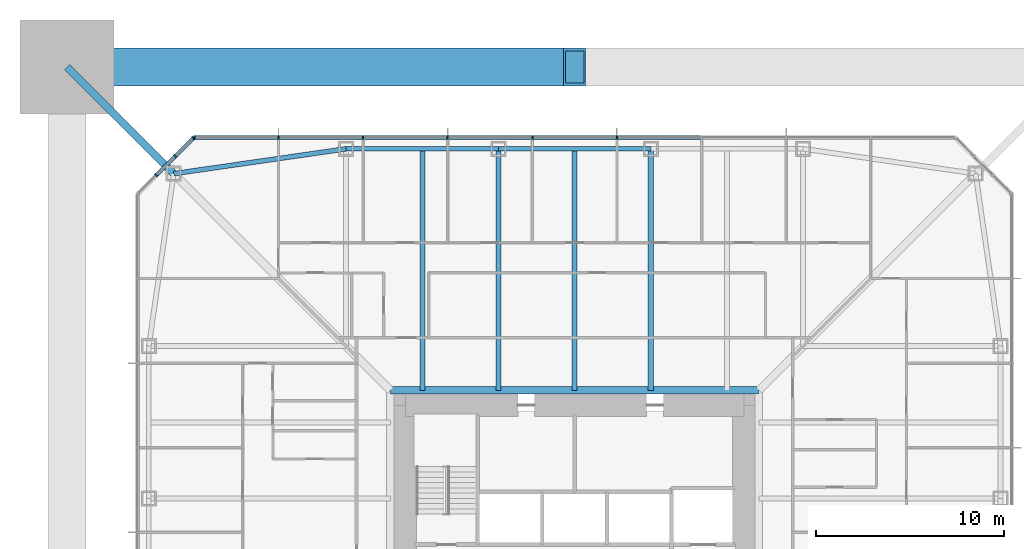
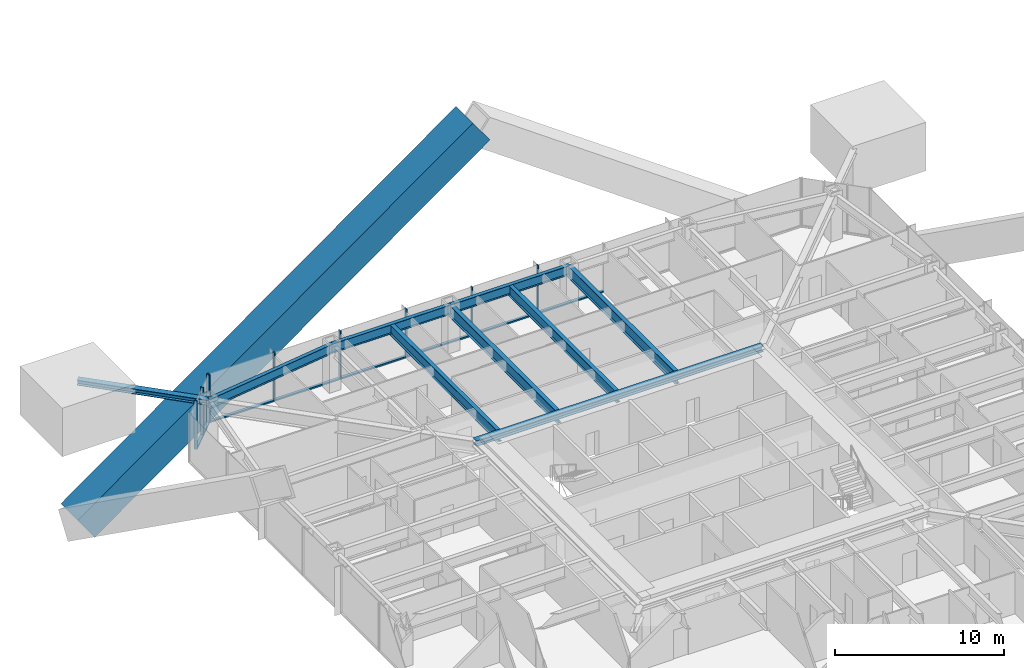
# One storey, part 8 of 28: 19 members, 8 beams, 2 elements without a shape of their own.
"""IFC4 building model written with IfcOpenShell, lengths in metres."""

from ifc_helpers import new_model, si_unit, direction, frame, origin, origin_2d, place, context, subcontext, project, spatial, rectangle, hollow_rectangle, i_section, extrude, material, material_profile, profile_set, type_object, element, aggregate, save


model = new_model("IFC4")

# Units and contexts
model_context = context("Model", 3, precision=1e-05, world=origin(), true_north=direction((0.0, 1.0)))
body_context = subcontext(model_context, "Body", "Model", "MODEL_VIEW")
ifc_project = project(units=[si_unit("LENGTHUNIT", "METRE"), si_unit("AREAUNIT", "SQUARE_METRE"), si_unit("VOLUMEUNIT", "CUBIC_METRE"), si_unit("PLANEANGLEUNIT", "RADIAN"), si_unit("MASSUNIT", "GRAM", prefix="KILO")], contexts=[model_context])

# Site, building, storey
site_placement = place(None, origin())
site = spatial("IfcSite", under=ifc_project, at=site_placement, CompositionType="ELEMENT")
building_placement = place(site_placement, origin())
building = spatial("IfcBuilding", under=site, at=building_placement, Name="Iwan Alto Co-Living Towers", CompositionType="ELEMENT")
storey_placement = place(building_placement, frame((0.0, 0.0, 43.0)))
storey = spatial("IfcBuildingStorey", under=building, at=storey_placement, Name="L11", CompositionType="ELEMENT", Elevation=43.0)

# Curtain wall, members
ifc_material_1 = material(Name="Bronze aluminium unitised frame", Category="aluminium")
curtain_wall_type_1 = type_object("IfcCurtainWallType", Name="CURTAIN WALL CW-A", PredefinedType="NOTDEFINED", material=ifc_material_1)
curtain_wall_1_placement = place(storey_placement, origin())
curtain_wall_1 = element("IfcCurtainWall", 1, at=curtain_wall_1_placement, inside=storey, type_object=curtain_wall_type_1, Name="T1 curtain wall N L11", PredefinedType="NOTDEFINED")
ifc_material_2 = material(Name="Aluminium 6063-T6 bronze anodised", Category="aluminium")
ifc_material_profile_1 = material_profile(ifc_material_2, rectangle(XDim=0.199951171875, YDim=0.080078125, at=origin_2d()), Name="AL 80X200")
ifc_profile_set_1 = profile_set([ifc_material_profile_1], Name="Aluminium 6063-T6 bronze anodised")
member_type_1 = type_object("IfcMemberType", Name="CW-A MULLION 80X200", PredefinedType="MULLION", material=ifc_profile_set_1)
member_1_placement = place(storey_placement, frame((2.25, 23.25, 0.0), z_axis=(0.0, 0.0, 1.0), x_axis=(0.0, -1.0, 0.0)))
member_1 = element("IfcMember", 2, at=member_1_placement, type_object=member_type_1, Name="CW-A mullion 5", PredefinedType="MULLION", context=body_context, shape_type="SweptSolid", body=[
    extrude(rectangle(XDim=0.199951171875, YDim=0.080078125, at=origin_2d()), origin(), (0.0, 0.0, 1.0), 3.5),
])
member_2_placement = place(storey_placement, frame((-2.25, 23.25, 0.0), z_axis=(0.0, 0.0, 1.0), x_axis=(0.0, -1.0, 0.0)))
member_2 = element("IfcMember", 3, at=member_2_placement, type_object=member_type_1, Name="CW-A mullion 6", PredefinedType="MULLION", context=body_context, shape_type="SweptSolid", body=[
    extrude(rectangle(XDim=0.199951171875, YDim=0.080078125, at=origin_2d()), origin(), (0.0, 0.0, 1.0), 3.5),
])
member_3_placement = place(storey_placement, frame((-6.75, 23.25, 0.0), z_axis=(0.0, 0.0, 1.0), x_axis=(0.0, -1.0, 0.0)))
member_3 = element("IfcMember", 4, at=member_3_placement, type_object=member_type_1, Name="CW-A mullion 7", PredefinedType="MULLION", context=body_context, shape_type="SweptSolid", body=[
    extrude(rectangle(XDim=0.199951171875, YDim=0.080078125, at=origin_2d()), origin(), (0.0, 0.0, 1.0), 3.5),
])
member_4_placement = place(storey_placement, frame((-11.25, 23.25, 0.0), z_axis=(0.0, 0.0, 1.0), x_axis=(0.0, -1.0, 0.0)))
member_4 = element("IfcMember", 5, at=member_4_placement, type_object=member_type_1, Name="CW-A mullion 8", PredefinedType="MULLION", context=body_context, shape_type="SweptSolid", body=[
    extrude(rectangle(XDim=0.199951171875, YDim=0.080078125, at=origin_2d()), origin(), (0.0, 0.0, 1.0), 3.5),
])
member_5_placement = place(storey_placement, frame((-15.75, 23.25, 0.0), z_axis=(0.0, 0.0, 1.0), x_axis=(0.0, -1.0, 0.0)))
member_5 = element("IfcMember", 6, at=member_5_placement, type_object=member_type_1, Name="CW-A mullion 9", PredefinedType="MULLION", context=body_context, shape_type="SweptSolid", body=[
    extrude(rectangle(XDim=0.199951171875, YDim=0.080078125, at=origin_2d()), origin(), (0.0, 0.0, 1.0), 3.5),
])
member_6_placement = place(storey_placement, frame((-20.2099609375, 23.25, 0.0), z_axis=(0.0, 0.0, 1.0), x_axis=(0.0, -1.0, 0.0)))
member_6 = element("IfcMember", 7, at=member_6_placement, type_object=member_type_1, Name="CW-A mullion 10", PredefinedType="MULLION", context=body_context, shape_type="SweptSolid", body=[
    extrude(rectangle(XDim=0.199951171875, YDim=0.080078125, at=origin_2d()), origin(), (0.0, 0.0, 1.0), 3.5),
])
ifc_material_3 = material(Name="Aluminium 6063-T6 bronze anodised", Category="aluminium")
ifc_material_profile_2 = material_profile(ifc_material_3, rectangle(XDim=0.199951171875, YDim=0.10009765625, at=origin_2d()), Name="AL 200X100")
ifc_profile_set_2 = profile_set([ifc_material_profile_2], Name="Aluminium 6063-T6 bronze anodised")
member_type_2 = type_object("IfcMemberType", Name="CW-A TRANSOM 200X100", PredefinedType="USERDEFINED", material=ifc_profile_set_2)
member_7_placement = place(storey_placement, frame((6.7099609375, 23.25, 0.050048828125), z_axis=(-1.0, 0.0, 0.0), x_axis=(0.0, -1.0, 0.0)))
member_7 = element("IfcMember", 8, at=member_7_placement, type_object=member_type_2, Name="CW-A transom 4.1", ObjectType="TRANSOM", PredefinedType="USERDEFINED", context=body_context, shape_type="SweptSolid", body=[
    extrude(rectangle(XDim=0.199951171875, YDim=0.10009765625, at=origin_2d()), origin(), (0.0, 0.0, 1.0), 4.419921875),
])
member_8_placement = place(storey_placement, frame((2.2099609375, 23.25, 0.050048828125), z_axis=(-1.0, 0.0, 0.0), x_axis=(0.0, -1.0, 0.0)))
member_8 = element("IfcMember", 9, at=member_8_placement, type_object=member_type_2, Name="CW-A transom 5.1", ObjectType="TRANSOM", PredefinedType="USERDEFINED", context=body_context, shape_type="SweptSolid", body=[
    extrude(rectangle(XDim=0.199951171875, YDim=0.10009765625, at=origin_2d()), origin(), (0.0, 0.0, 1.0), 4.419921875),
])
member_9_placement = place(storey_placement, frame((-2.2900390625, 23.25, 0.050048828125), z_axis=(-1.0, 0.0, 0.0), x_axis=(0.0, -1.0, 0.0)))
member_9 = element("IfcMember", 10, at=member_9_placement, type_object=member_type_2, Name="CW-A transom 6.1", ObjectType="TRANSOM", PredefinedType="USERDEFINED", context=body_context, shape_type="SweptSolid", body=[
    extrude(rectangle(XDim=0.199951171875, YDim=0.10009765625, at=origin_2d()), origin(), (0.0, 0.0, 1.0), 4.419921875),
])
member_10_placement = place(storey_placement, frame((-6.7900390625, 23.25, 0.050048828125), z_axis=(-1.0, 0.0, 0.0), x_axis=(0.0, -1.0, 0.0)))
member_10 = element("IfcMember", 11, at=member_10_placement, type_object=member_type_2, Name="CW-A transom 7.1", ObjectType="TRANSOM", PredefinedType="USERDEFINED", context=body_context, shape_type="SweptSolid", body=[
    extrude(rectangle(XDim=0.199951171875, YDim=0.10009765625, at=origin_2d()), origin(), (0.0, 0.0, 1.0), 4.419921875),
])
member_11_placement = place(storey_placement, frame((-11.2900390625, 23.25, 0.050048828125), z_axis=(-1.0, 0.0, 0.0), x_axis=(0.0, -1.0, 0.0)))
member_11 = element("IfcMember", 12, at=member_11_placement, type_object=member_type_2, Name="CW-A transom 8.1", ObjectType="TRANSOM", PredefinedType="USERDEFINED", context=body_context, shape_type="SweptSolid", body=[
    extrude(rectangle(XDim=0.199951171875, YDim=0.10009765625, at=origin_2d()), origin(), (0.0, 0.0, 1.0), 4.419921875),
])
member_12_placement = place(storey_placement, frame((-15.7900390625, 23.25, 0.050048828125), z_axis=(-1.0, 0.0, 0.0), x_axis=(0.0, -1.0, 0.0)))
member_12 = element("IfcMember", 13, at=member_12_placement, type_object=member_type_2, Name="CW-A transom 9.1", ObjectType="TRANSOM", PredefinedType="USERDEFINED", context=body_context, shape_type="SweptSolid", body=[
    extrude(rectangle(XDim=0.199951171875, YDim=0.10009765625, at=origin_2d()), origin(), (0.0, 0.0, 1.0), 4.3798828125),
])
aggregate(curtain_wall_1, [member_1, member_2, member_3, member_4, member_5, member_6, member_7, member_8, member_9, member_10, member_11, member_12])

ifc_material_4 = material(Name="Bronze aluminium unitised frame", Category="aluminium")
curtain_wall_type_2 = type_object("IfcCurtainWallType", Name="CURTAIN WALL CW-B", PredefinedType="NOTDEFINED", material=ifc_material_4)
curtain_wall_2_placement = place(storey_placement, origin())
curtain_wall_2 = element("IfcCurtainWall", 14, at=curtain_wall_2_placement, inside=storey, type_object=curtain_wall_type_2, Name="T1 chamfer curtain wall NW L11", PredefinedType="NOTDEFINED")
ifc_material_5 = material(Name="Aluminium 6063-T6 bronze anodised", Category="aluminium")
ifc_material_profile_3 = material_profile(ifc_material_5, rectangle(XDim=0.199951171875, YDim=0.080078125, at=origin_2d()), Name="AL 80X200")
ifc_profile_set_3 = profile_set([ifc_material_profile_3], Name="Aluminium 6063-T6 bronze anodised")
member_type_3 = type_object("IfcMemberType", Name="CW-B MULLION 80X200", PredefinedType="MULLION", material=ifc_profile_set_3)
member_13_placement = place(storey_placement, frame((-20.2783203125, 23.2216796875, 0.0), z_axis=(0.0, 0.0, 1.0), x_axis=(0.707106781187, -0.707106781187, 0.0)))
member_13 = element("IfcMember", 15, at=member_13_placement, type_object=member_type_3, Name="CW-B mullion 1", PredefinedType="MULLION", context=body_context, shape_type="SweptSolid", body=[
    extrude(rectangle(XDim=0.199951171875, YDim=0.080078125, at=origin_2d()), origin(), (0.0, 0.0, 1.0), 3.5),
])
member_14_placement = place(storey_placement, frame((-21.25, 22.25, 0.0), z_axis=(0.0, 0.0, 1.0), x_axis=(0.707106781187, -0.707106781187, 0.0)))
member_14 = element("IfcMember", 16, at=member_14_placement, type_object=member_type_3, Name="CW-B mullion 2", PredefinedType="MULLION", context=body_context, shape_type="SweptSolid", body=[
    extrude(rectangle(XDim=0.199951171875, YDim=0.080078125, at=origin_2d()), origin(), (0.0, 0.0, 1.0), 3.5),
])
member_15_placement = place(storey_placement, frame((-22.25, 21.25, 0.0), z_axis=(0.0, 0.0, 1.0), x_axis=(0.707106781187, -0.707106781187, 0.0)))
member_15 = element("IfcMember", 17, at=member_15_placement, type_object=member_type_3, Name="CW-B mullion 3", PredefinedType="MULLION", context=body_context, shape_type="SweptSolid", body=[
    extrude(rectangle(XDim=0.199951171875, YDim=0.080078125, at=origin_2d()), origin(), (0.0, 0.0, 1.0), 3.5),
])
ifc_material_6 = material(Name="Aluminium 6063-T6 bronze anodised", Category="aluminium")
ifc_material_profile_4 = material_profile(ifc_material_6, rectangle(XDim=0.199951171875, YDim=0.10009765625, at=origin_2d()), Name="AL 200X100")
ifc_profile_set_4 = profile_set([ifc_material_profile_4], Name="Aluminium 6063-T6 bronze anodised")
member_type_4 = type_object("IfcMemberType", Name="CW-B TRANSOM 200X100", PredefinedType="USERDEFINED", material=ifc_profile_set_4)
member_16_placement = place(storey_placement, frame((-20.306640625, 23.193359375, 0.050048828125), z_axis=(-0.707106781187, -0.707106781187, 0.0), x_axis=(0.707106781187, -0.707106781187, 0.0)))
member_16 = element("IfcMember", 18, at=member_16_placement, type_object=member_type_4, Name="CW-B transom 1.1", ObjectType="TRANSOM", PredefinedType="USERDEFINED", context=body_context, shape_type="SweptSolid", body=[
    extrude(rectangle(XDim=0.199951171875, YDim=0.10009765625, at=origin_2d()), origin(), (0.0, 0.0, 1.0), 1.2939453125),
])
member_17_placement = place(storey_placement, frame((-21.2783203125, 22.2216796875, 0.050048828125), z_axis=(-0.707106781187, -0.707106781187, 0.0), x_axis=(0.707106781187, -0.707106781187, 0.0)))
member_17 = element("IfcMember", 19, at=member_17_placement, type_object=member_type_4, Name="CW-B transom 2.1", ObjectType="TRANSOM", PredefinedType="USERDEFINED", context=body_context, shape_type="SweptSolid", body=[
    extrude(rectangle(XDim=0.199951171875, YDim=0.10009765625, at=origin_2d()), origin(), (0.0, 0.0, 1.0), 1.334228515625),
])
aggregate(curtain_wall_2, [member_13, member_14, member_15, member_16, member_17])

# Beams
ifc_material_7 = material(Name="Steel ASTM A992 Gr 50", Category="steel")
ifc_material_profile_5 = material_profile(ifc_material_7, i_section(OverallWidth=0.40380859375, OverallDepth=0.406494140625, WebThickness=0.027099609375, FlangeThickness=0.043701171875, at=origin_2d()), Name="W14X233")
ifc_profile_set_5 = profile_set([ifc_material_profile_5], Name="Steel ASTM A992 Gr 50")
beam_type_1 = type_object("IfcBeamType", Name="T1 CORE LEDGER BEAM W14X233", PredefinedType="BEAM", material=ifc_profile_set_5)
beam_1_placement = place(storey_placement, frame((9.802001953125, 9.802001953125, 3.06689453125), z_axis=(-1.0, 0.0, 0.0), x_axis=(0.0, -1.0, 0.0)))
element("IfcBeam", 20, at=beam_1_placement, inside=storey, type_object=beam_type_1, Name="T1 core ledger beam N L12", PredefinedType="BEAM", context=body_context, shape_type="SweptSolid", body=[
    extrude(i_section(OverallWidth=0.40380859375, OverallDepth=0.406494140625, WebThickness=0.027099609375, FlangeThickness=0.043701171875, at=origin_2d()), origin(), (0.0, 0.0, 1.0), 19.60400390625),
])
ifc_material_8 = material(Name="Steel ASTM A992 Gr 50", Category="steel")
ifc_material_profile_6 = material_profile(ifc_material_8, i_section(OverallWidth=0.25390625, OverallDepth=0.683349609375, WebThickness=0.012451171875, FlangeThickness=0.018798828125, at=origin_2d()), Name="W27X94")
ifc_profile_set_6 = profile_set([ifc_material_profile_6], Name="Steel ASTM A992 Gr 50")
beam_type_2 = type_object("IfcBeamType", Name="T1 EDGE BEAM W27X94", PredefinedType="BEAM", material=ifc_profile_set_6)
beam_2_placement = place(storey_placement, frame((4.050048828125, 22.64990234375, 2.928466796875), z_axis=(-1.0, 0.0, 0.0), x_axis=(0.0, -1.0, 0.0)))
element("IfcBeam", 21, at=beam_2_placement, inside=storey, type_object=beam_type_2, Name="T1 edge beam N2 L12", PredefinedType="BEAM", context=body_context, shape_type="SweptSolid", body=[
    extrude(i_section(OverallWidth=0.25390625, OverallDepth=0.683349609375, WebThickness=0.012451171875, FlangeThickness=0.018798828125, at=origin_2d()), origin(), (0.0, 0.0, 1.0), 8.10009765625),
])
beam_3_placement = place(storey_placement, frame((-4.050048828125, 22.64990234375, 2.928466796875), z_axis=(-1.0, 0.0, 0.0), x_axis=(0.0, -1.0, 0.0)))
element("IfcBeam", 22, at=beam_3_placement, inside=storey, type_object=beam_type_2, Name="T1 edge beam N3 L12", PredefinedType="BEAM", context=body_context, shape_type="SweptSolid", body=[
    extrude(i_section(OverallWidth=0.25390625, OverallDepth=0.683349609375, WebThickness=0.012451171875, FlangeThickness=0.018798828125, at=origin_2d()), origin(), (0.0, 0.0, 1.0), 8.099853515625),
])
beam_4_placement = place(storey_placement, frame((-12.14990234375, 22.64990234375, 2.928466796875), z_axis=(-0.989746234347, -0.142836940589, 0.0), x_axis=(0.142836940589, -0.989746234347, 0.0)))
element("IfcBeam", 23, at=beam_4_placement, inside=storey, type_object=beam_type_2, Name="T1 edge beam N4 L12", PredefinedType="BEAM", context=body_context, shape_type="SweptSolid", body=[
    extrude(i_section(OverallWidth=0.25390625, OverallDepth=0.683349609375, WebThickness=0.012451171875, FlangeThickness=0.018798828125, at=origin_2d()), origin(), (0.0, 0.0, 1.0), 9.270751953125),
])

# Members
ifc_material_9 = material(Name="Steel ASTM A572 Gr 42", Category="steel")
ifc_material_profile_7 = material_profile(ifc_material_9, hollow_rectangle(XDim=2.0, YDim=2.0, WallThickness=0.139892578125, at=origin_2d()), Name="BOX 2000X2000X140")
ifc_profile_set_7 = profile_set([ifc_material_profile_7], Name="Steel ASTM A572 Gr 42")
member_type_5 = type_object("IfcMemberType", Name="T1 MEGA BRACE BOX 2000X2000X140", PredefinedType="BRACE", material=ifc_profile_set_7)
member_18_placement = place(storey_placement, frame((-27.0, 27.0, -7.0), z_axis=(0.814242569702, 0.0, 0.580524795065), x_axis=(0.0, 1.0, 0.0)))
element("IfcMember", 24, at=member_18_placement, inside=storey, type_object=member_type_5, Name="T1 mega brace Z1B N 2 lower", PredefinedType="BRACE", context=body_context, shape_type="SweptSolid", body=[
    extrude(hollow_rectangle(XDim=2.0, YDim=2.0, WallThickness=0.139892578125, at=origin_2d()), origin(), (0.0, 0.0, 1.0), 33.15966796875),
])
ifc_material_10 = material(Name="Steel ASTM A992 Gr 50", Category="steel")
ifc_material_profile_8 = material_profile(ifc_material_10, i_section(OverallWidth=0.393798828125, OverallDepth=0.3759765625, WebThickness=0.017333984375, FlangeThickness=0.027587890625, at=origin_2d()), Name="W14X145")
ifc_profile_set_8 = profile_set([ifc_material_profile_8], Name="Steel ASTM A992 Gr 50")
member_type_6 = type_object("IfcMemberType", Name="T1 MEGA COLUMN FLOOR TIE W14X145", PredefinedType="STRUT", material=ifc_profile_set_8)
member_19_placement = place(storey_placement, frame((-27.0, 27.0, 3.08203125), z_axis=(0.707106781187, -0.707106781187, 0.0), x_axis=(0.707106781187, 0.707106781187, 0.0)))
element("IfcMember", 25, at=member_19_placement, inside=storey, type_object=member_type_6, Name="T1 mega column floor tie NW L12", PredefinedType="STRUT", context=body_context, shape_type="SweptSolid", body=[
    extrude(i_section(OverallWidth=0.393798828125, OverallDepth=0.3759765625, WebThickness=0.017333984375, FlangeThickness=0.027587890625, at=origin_2d()), origin(), (0.0, 0.0, 1.0), 8.024658203125),
])

# Beams
ifc_material_11 = material(Name="Steel ASTM A992 Gr 50", Category="steel")
ifc_material_profile_9 = material_profile(ifc_material_11, i_section(OverallWidth=0.2919921875, OverallDepth=0.8408203125, WebThickness=0.0146484375, FlangeThickness=0.021728515625, at=origin_2d()), Name="W33X130")
ifc_profile_set_9 = profile_set([ifc_material_profile_9], Name="Steel ASTM A992 Gr 50")
beam_type_3 = type_object("IfcBeamType", Name="T1 RADIAL BEAM W33X130", PredefinedType="BEAM", material=ifc_profile_set_9)
for number, where, z_axis, x_axis, name in (
    (26, (4.050048828125, 22.64990234375, 2.849609375), (0.0, -1.0, 0.0), (1.0, 0.0, 0.0), "T1 radial beam N2 L12"),
    (27, (-4.050048828125, 22.64990234375, 2.849609375), (0.0, -1.0, 0.0), (1.0, 0.0, 0.0), "T1 radial beam N3 L12"),
):
    element("IfcBeam", number, at=place(storey_placement, frame(where, z_axis=z_axis, x_axis=x_axis)), inside=storey, type_object=beam_type_3, Name=name, PredefinedType="BEAM", context=body_context, shape_type="SweptSolid", body=[
        extrude(i_section(OverallWidth=0.2919921875, OverallDepth=0.8408203125, WebThickness=0.0146484375, FlangeThickness=0.021728515625, at=origin_2d()), origin(), (0.0, 0.0, 1.0), 12.847900390625),
    ])
ifc_material_12 = material(Name="Steel ASTM A992 Gr 50", Category="steel")
ifc_material_profile_10 = material_profile(ifc_material_12, i_section(OverallWidth=0.2666015625, OverallDepth=0.761962890625, WebThickness=0.014404296875, FlangeThickness=0.021484375, at=origin_2d()), Name="W30X116")
ifc_profile_set_10 = profile_set([ifc_material_profile_10], Name="Steel ASTM A992 Gr 50")
beam_type_4 = type_object("IfcBeamType", Name="T1 SECONDARY BEAM W30X116", PredefinedType="JOIST", material=ifc_profile_set_10)
for number, where, z_axis, x_axis, name in (
    (28, (0.0, 22.64990234375, 2.888916015625), (0.0, -1.0, 0.0), (1.0, 0.0, 0.0), "T1 secondary beam N2 L12"),
    (29, (-8.10009765625, 22.64990234375, 2.888916015625), (0.0, -1.0, 0.0), (1.0, 0.0, 0.0), "T1 secondary beam N3 L12"),
):
    element("IfcBeam", number, at=place(storey_placement, frame(where, z_axis=z_axis, x_axis=x_axis)), inside=storey, type_object=beam_type_4, Name=name, PredefinedType="JOIST", context=body_context, shape_type="SweptSolid", body=[
        extrude(i_section(OverallWidth=0.2666015625, OverallDepth=0.761962890625, WebThickness=0.014404296875, FlangeThickness=0.021484375, at=origin_2d()), origin(), (0.0, 0.0, 1.0), 12.847900390625),
    ])

save(model, "model.ifc")
